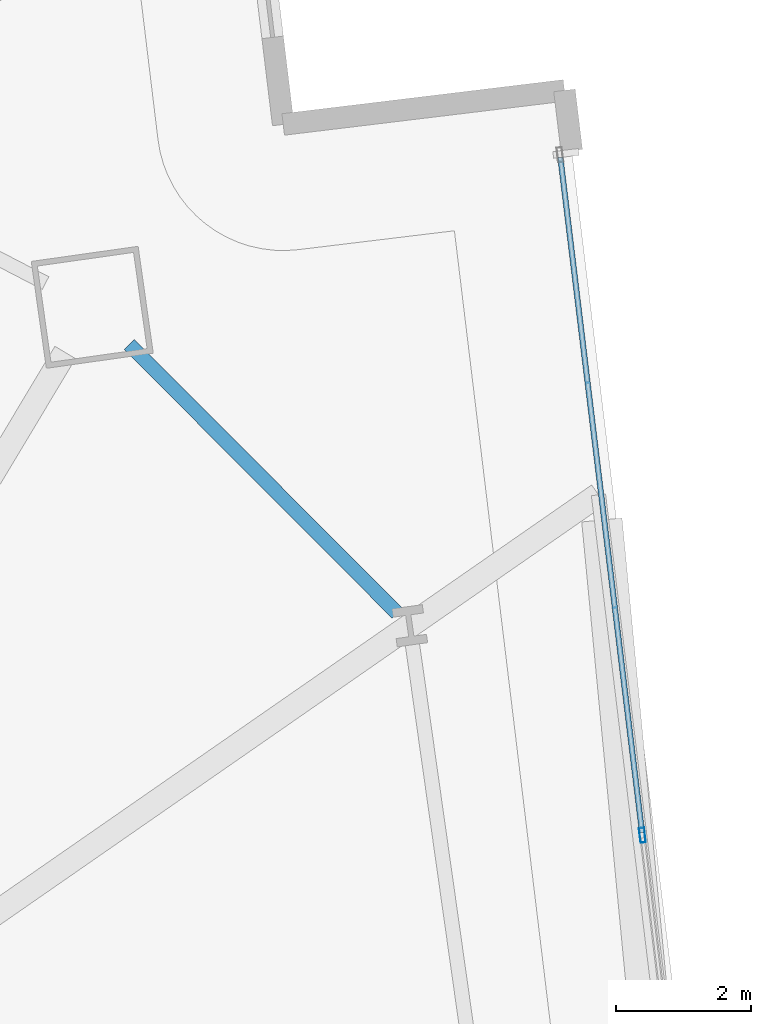
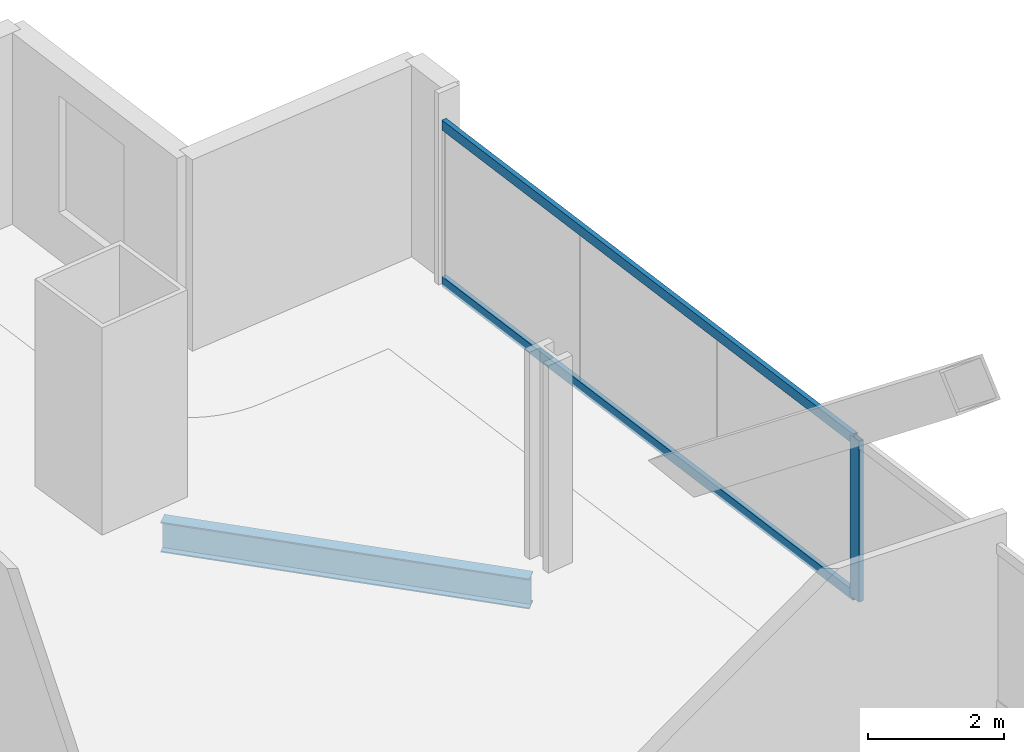
# One storey, part 21 of 33: 3 members, 1 beam, 1 element without a shape of its own.
"""IFC4 building model written with IfcOpenShell, lengths in metres."""

from ifc_helpers import new_model, si_unit, direction, frame, origin, origin_2d, place, context, subcontext, project, spatial, hollow_rectangle, i_section, extrude, material, material_profile, profile_set, type_object, element, aggregate, save


model = new_model("IFC4")

# Units and contexts
model_context = context("Model", 3, precision=1e-05, world=origin(), true_north=direction((0.0, 1.0)))
body_context = subcontext(model_context, "Body", "Model", "MODEL_VIEW")
ifc_project = project(units=[si_unit("LENGTHUNIT", "METRE"), si_unit("AREAUNIT", "SQUARE_METRE"), si_unit("VOLUMEUNIT", "CUBIC_METRE"), si_unit("PLANEANGLEUNIT", "RADIAN"), si_unit("MASSUNIT", "GRAM", prefix="KILO")], contexts=[model_context])

# Site, building, storey
site_placement = place(None, origin())
site = spatial("IfcSite", under=ifc_project, at=site_placement, CompositionType="ELEMENT")
building_placement = place(site_placement, origin())
building = spatial("IfcBuilding", under=site, at=building_placement, Name="Haldenkirk Collegiate Tower", CompositionType="ELEMENT")
storey_placement = place(building_placement, frame((0.0, 0.0, 51.449951171875)))
storey = spatial("IfcBuildingStorey", under=building, at=storey_placement, Name="L11", CompositionType="ELEMENT", Elevation=51.449951171875)

# Beam
ifc_material_1 = material(Name="Steel ASTM A992 Grade 50", Category="steel")
ifc_material_profile_1 = material_profile(ifc_material_1, i_section(OverallWidth=0.2119140625, OverallDepth=0.5439453125, WebThickness=0.01318359375, FlangeThickness=0.021240234375, at=origin_2d()), Name="W21X83")
ifc_profile_set_1 = profile_set([ifc_material_profile_1], Name="Steel ASTM A992 Grade 50")
beam_type = type_object("IfcBeamType", Name="BM-SPANDREL-W21X83", PredefinedType="SPANDREL", material=ifc_profile_set_1)
beam_placement = place(storey_placement, frame((57.70556640625, 43.135986328125, -0.58203125), z_axis=(-0.706085689957, 0.708126400043, 0.0), x_axis=(-0.708126400043, -0.706085689957, 0.0)))
element("IfcBeam", 1, at=beam_placement, inside=storey, type_object=beam_type, Name="L11 perimeter spandrel beam 08", PredefinedType="SPANDREL", context=body_context, shape_type="SweptSolid", body=[
    extrude(i_section(OverallWidth=0.2119140625, OverallDepth=0.5439453125, WebThickness=0.01318359375, FlangeThickness=0.021240234375, at=origin_2d()), origin(), (0.0, 0.0, 1.0), 5.622802734375),
])

# Curtain wall, members
ifc_material_2 = material(Name="Anodised architectural bronze aluminium", Category="aluminium")
curtain_wall_type = type_object("IfcCurtainWallType", Name="CW-SYS1-CONVEX-LOW", PredefinedType="USERDEFINED", material=ifc_material_2)
curtain_wall_placement = place(storey_placement, origin())
curtain_wall = element("IfcCurtainWall", 2, at=curtain_wall_placement, inside=storey, type_object=curtain_wall_type, Name="L11 Lower tower convex bronze-framed unitised curtain wall", ObjectType="UNITISED CURTAIN WALL", PredefinedType="USERDEFINED")
ifc_material_profile_2 = material_profile(ifc_material_2, hollow_rectangle(XDim=0.080078125, YDim=0.219970703125, WallThickness=0.0048828125, at=origin_2d()), Name="CW-MUL-1A")
ifc_profile_set_2 = profile_set([ifc_material_profile_2], Name="Anodised architectural bronze aluminium")
member_type_1 = type_object("IfcMemberType", Name="CW-MUL-1A", PredefinedType="MULLION", material=ifc_profile_set_2)
member_1_placement = place(storey_placement, frame((61.34033203125, 39.844482421875, 0.0), z_axis=(0.0, 0.0, 1.0), x_axis=(0.992757292466, 0.120137247576, 0.0)))
member_1 = element("IfcMember", 3, at=member_1_placement, type_object=member_type_1, Name="CW-1A mullion 2", PredefinedType="MULLION", context=body_context, shape_type="SweptSolid", body=[
    extrude(hollow_rectangle(XDim=0.080078125, YDim=0.219970703125, WallThickness=0.0048828125, at=origin_2d()), origin(), (0.0, 0.0, 1.0), 2.89111328125),
])
ifc_material_profile_3 = material_profile(ifc_material_2, hollow_rectangle(XDim=0.080078125, YDim=0.179931640625, WallThickness=0.0048828125, at=origin_2d()), Name="CW-TRN-1A")
ifc_profile_set_3 = profile_set([ifc_material_profile_3], Name="Anodised architectural bronze aluminium")
member_type_2 = type_object("IfcMemberType", Name="CW-TRN-1A", PredefinedType="USERDEFINED", material=ifc_profile_set_3)
member_2_placement = place(storey_placement, frame((60.12451171875, 49.891357421875, 0.0400390625), z_axis=(0.120131730033, -0.992757960149, 0.0), x_axis=(0.992757960149, 0.120131730033, 0.0)))
member_2 = element("IfcMember", 4, at=member_2_placement, type_object=member_type_2, Name="CW-1A transom 1.1", ObjectType="TRANSOM", PredefinedType="USERDEFINED", context=body_context, shape_type="SweptSolid", body=[
    extrude(hollow_rectangle(XDim=0.080078125, YDim=0.179931640625, WallThickness=0.0048828125, at=origin_2d()), origin(), (0.0, 0.0, 1.0), 10.080078125),
])
member_3_placement = place(storey_placement, frame((60.12451171875, 49.891357421875, 2.85107421875), z_axis=(0.120131730033, -0.992757960149, 0.0), x_axis=(0.992757960149, 0.120131730033, 0.0)))
member_3 = element("IfcMember", 5, at=member_3_placement, type_object=member_type_2, Name="CW-1A transom 1.2", ObjectType="TRANSOM", PredefinedType="USERDEFINED", context=body_context, shape_type="SweptSolid", body=[
    extrude(hollow_rectangle(XDim=0.080078125, YDim=0.179931640625, WallThickness=0.0048828125, at=origin_2d()), origin(), (0.0, 0.0, 1.0), 10.080078125),
])
aggregate(curtain_wall, [member_1, member_2, member_3])

save(model, "model.ifc")
